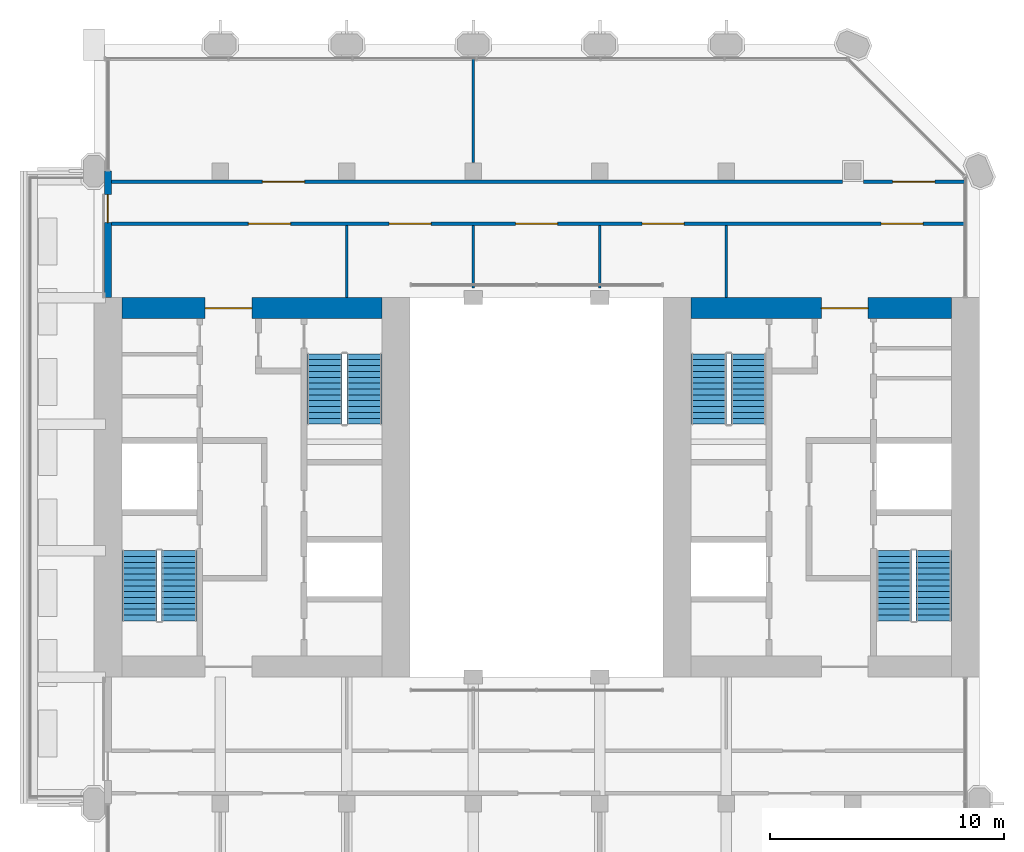
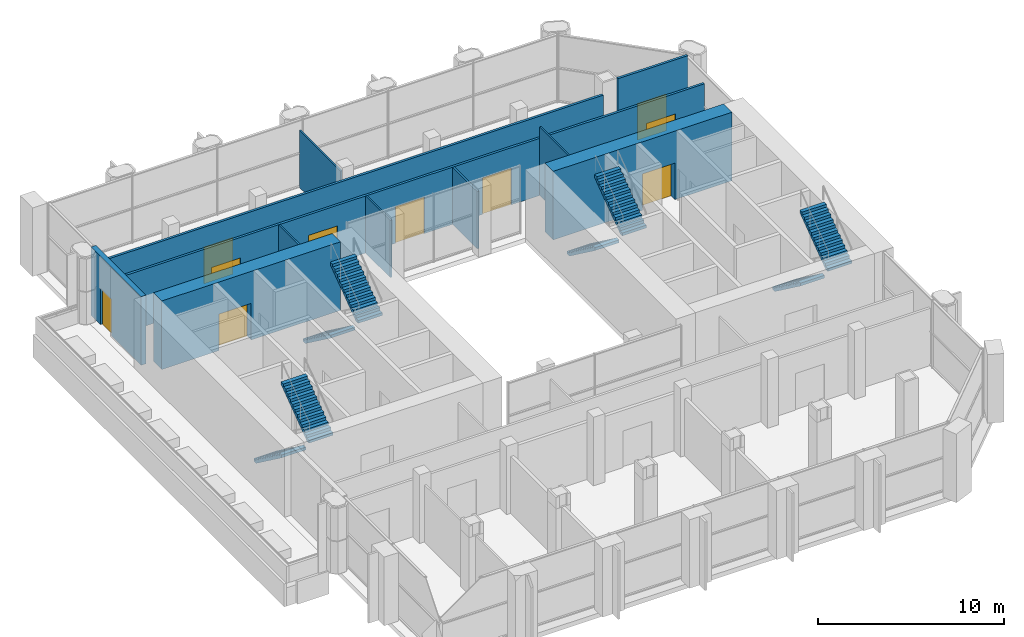
# One storey, part 11 of 14: 11 walls, 10 doors, 8 stair flights, 10 openings, 4 elements without a shape of their own.
"""IFC4 building model written with IfcOpenShell, lengths in metres."""

from ifc_helpers import new_model, si_unit, direction, frame, frame_2d, origin, place, context, subcontext, project, spatial, polyline, rectangle, outline, extrude, material, layer, layer_set, type_object, element, fill, aggregate, save


model = new_model("IFC4")

# Units and contexts
model_context = context("Model", 3, precision=1e-05, world=origin(), true_north=direction((0.0, 1.0)))
body_context = subcontext(model_context, "Body", "Model", "MODEL_VIEW")
ifc_project = project(units=[si_unit("LENGTHUNIT", "METRE"), si_unit("AREAUNIT", "SQUARE_METRE"), si_unit("VOLUMEUNIT", "CUBIC_METRE"), si_unit("PLANEANGLEUNIT", "RADIAN"), si_unit("MASSUNIT", "GRAM", prefix="KILO")], contexts=[model_context])

# Site, building, storey
site_placement = place(None, origin())
site = spatial("IfcSite", under=ifc_project, at=site_placement, CompositionType="ELEMENT")
building_placement = place(site_placement, origin())
building = spatial("IfcBuilding", under=site, at=building_placement, Name="Tabaq Tower and Sports Hall", CompositionType="ELEMENT")
storey_placement = place(building_placement, frame((0.0, 0.0, 250.89990234375)))
storey = spatial("IfcBuildingStorey", under=building, at=storey_placement, Name="L61", CompositionType="ELEMENT", Elevation=250.89990234375)

# Wall, opening, door
ifc_material_1 = material(Name="Concrete C40/50", Category="concrete")
ifc_layer_1 = layer(ifc_material_1, 0.89990234375)
ifc_layer_set_1 = layer_set([ifc_layer_1], Name="Core wall 900 Concrete C40/50")
wall_type_1 = type_object("IfcWallType", Name="Core wall 900 Concrete C40/50", PredefinedType="SOLIDWALL", material=ifc_layer_set_1)
wall_1_placement = place(storey_placement, frame((6.60009765625, 31.949951171875, 0.0), z_axis=(0.0, 0.0, 1.0), x_axis=(1.0, 0.0, 0.0)))
wall_1 = element("IfcWall", 1, at=wall_1_placement, inside=storey, type_object=wall_type_1, Name="Core wall W L61", PredefinedType="SOLIDWALL", context=body_context, shape_type="SweptSolid", body=[
    extrude(rectangle(XDim=11.099853515625, YDim=0.89990234375, at=frame_2d((5.5498046875, 0.0))), origin(), (0.0, 0.0, 1.0), 4.5),
])
opening_1_placement = place(wall_1_placement, frame((3.550048828125, 0.0, 0.0)))
opening_1 = element("IfcOpeningElement", 2, at=opening_1_placement, cuts=wall_1, Name="Opening PD-WL61-02", PredefinedType="OPENING", context=body_context, shape_type="SweptSolid", body=[
    extrude(rectangle(XDim=2.0, YDim=2.39990234375, at=frame_2d((1.0, 1.199951171875))), frame((0.0, 0.449951171875, 0.0), z_axis=(0.0, -1.0, 0.0), x_axis=(1.0, 0.0, 0.0)), (0.0, 0.0, 1.0), 0.89990234375),
])
ifc_material_2 = material(Name="Steel fire door", Category="steel")
door_type_1 = type_object("IfcDoorType", Name="Core entrance door 2000", OperationType="DOUBLE_DOOR_SINGLE_SWING", PredefinedType="DOOR", material=ifc_material_2)
door_1_placement = place(opening_1_placement, origin())
door_1 = element("IfcDoor", 3, at=door_1_placement, inside=storey, type_object=door_type_1, Name="Core entrance north W L61", OperationType="DOUBLE_DOOR_SINGLE_SWING", OverallHeight=2.39990234375, OverallWidth=2.0, PredefinedType="DOOR", context=body_context, shape_type="SweptSolid", body=[
    extrude(rectangle(XDim=2.0, YDim=2.39990234375, at=frame_2d((1.0, 1.199951171875))), frame((0.0, 0.02490234375, 0.0), z_axis=(0.0, -1.0, 0.0), x_axis=(1.0, 0.0, 0.0)), (0.0, 0.0, 1.0), 0.050048828125),
])
fill(opening_1, door_1)

wall_2_placement = place(storey_placement, frame((30.89990234375, 31.949951171875, 0.0), z_axis=(0.0, 0.0, 1.0), x_axis=(1.0, 0.0, 0.0)))
wall_2 = element("IfcWall", 4, at=wall_2_placement, inside=storey, type_object=wall_type_1, Name="Core wall E L61", PredefinedType="SOLIDWALL", context=body_context, shape_type="SweptSolid", body=[
    extrude(rectangle(XDim=11.10009765625, YDim=0.89990234375, at=frame_2d((5.550048828125, 0.0))), origin(), (0.0, 0.0, 1.0), 4.5),
])
opening_2_placement = place(wall_2_placement, frame((5.550048828125, 0.0, 0.0)))
opening_2 = element("IfcOpeningElement", 5, at=opening_2_placement, cuts=wall_2, Name="Opening PD-EL61-02", PredefinedType="OPENING", context=body_context, shape_type="SweptSolid", body=[
    extrude(rectangle(XDim=2.0, YDim=2.39990234375, at=frame_2d((1.0, 1.199951171875))), frame((0.0, 0.449951171875, 0.0), z_axis=(0.0, -1.0, 0.0), x_axis=(1.0, 0.0, 0.0)), (0.0, 0.0, 1.0), 0.89990234375),
])
door_2_placement = place(opening_2_placement, origin())
door_2 = element("IfcDoor", 6, at=door_2_placement, inside=storey, type_object=door_type_1, Name="Core entrance north E L61", OperationType="DOUBLE_DOOR_SINGLE_SWING", OverallHeight=2.39990234375, OverallWidth=2.0, PredefinedType="DOOR", context=body_context, shape_type="SweptSolid", body=[
    extrude(rectangle(XDim=2.0, YDim=2.39990234375, at=frame_2d((1.0, 1.199951171875))), frame((0.0, 0.02490234375, 0.0), z_axis=(0.0, -1.0, 0.0), x_axis=(1.0, 0.0, 0.0)), (0.0, 0.0, 1.0), 0.050048828125),
])
fill(opening_2, door_2)

# Walls
ifc_material_3 = material(Name="Gypsum board on steel studs", Category="steel")
ifc_layer_2 = layer(ifc_material_3, 0.10009765625)
ifc_layer_set_2 = layer_set([ifc_layer_2], Name="Partition 100 Gypsum board")
wall_type_2 = type_object("IfcWallType", Name="Partition 100 Gypsum board", PredefinedType="PARTITIONING", material=ifc_layer_set_2)
wall_3_placement = place(storey_placement, frame((21.60009765625, 42.60009765625, 0.0), z_axis=(0.0, 0.0, 1.0), x_axis=(0.0, -1.0, 0.0)))
element("IfcWall", 7, at=wall_3_placement, inside=storey, type_object=wall_type_2, Name="Partition wall L61", PredefinedType="PARTITIONING", context=body_context, shape_type="SweptSolid", body=[
    extrude(rectangle(XDim=4.43017578125, YDim=0.10009765625, at=frame_2d((2.215087890625, 0.0))), origin(), (0.0, 0.0, 1.0), 3.75),
])
wall_4_placement = place(storey_placement, frame((32.39990234375, 32.39990234375, 0.0), z_axis=(0.0, 0.0, 1.0), x_axis=(0.0, 1.0, 0.0)))
element("IfcWall", 8, at=wall_4_placement, inside=storey, type_object=wall_type_2, Name="Partition wall L61", PredefinedType="PARTITIONING", context=body_context, shape_type="SweptSolid", body=[
    extrude(rectangle(XDim=3.0751953125, YDim=0.10009765625, at=frame_2d((1.53759765625, 0.0))), origin(), (0.0, 0.0, 1.0), 4.5),
])
for number, where, z_axis, x_axis, name in (
    (9, (27.0, 35.47509765625, 0.0), (0.0, 0.0, 1.0), (0.0, -1.0, 0.0), "Partition wall L61"),
    (10, (21.60009765625, 35.47509765625, 0.0), (0.0, 0.0, 1.0), (0.0, -1.0, 0.0), "Partition wall L61"),
):
    element("IfcWall", number, at=place(storey_placement, frame(where, z_axis=z_axis, x_axis=x_axis)), inside=storey, type_object=wall_type_2, Name=name, PredefinedType="PARTITIONING", context=body_context, shape_type="SweptSolid", body=[
        extrude(rectangle(XDim=2.655029296875, YDim=0.10009765625, at=frame_2d((1.32763671875, 0.0))), origin(), (0.0, 0.0, 1.0), 3.75),
    ])
wall_5_placement = place(storey_placement, frame((16.199951171875, 35.47509765625, 0.0), z_axis=(0.0, 0.0, 1.0), x_axis=(0.0, -1.0, 0.0)))
element("IfcWall", 11, at=wall_5_placement, inside=storey, type_object=wall_type_2, Name="Partition wall L61", PredefinedType="PARTITIONING", context=body_context, shape_type="SweptSolid", body=[
    extrude(rectangle(XDim=3.0751953125, YDim=0.10009765625, at=frame_2d((1.53759765625, 0.0))), origin(), (0.0, 0.0, 1.0), 3.75),
])

# Wall, opening, door
ifc_material_4 = material(Name="Blockwork", Category="masonry")
ifc_layer_3 = layer(ifc_material_4, 0.14990234375)
ifc_layer_set_3 = layer_set([ifc_layer_3], Name="Separating wall 150 Blockwork")
wall_type_3 = type_object("IfcWallType", Name="Separating wall 150 Blockwork", PredefinedType="PARTITIONING", material=ifc_layer_set_3)
wall_6_placement = place(storey_placement, frame((38.250732421875, 37.35009765625, 0.0), z_axis=(0.0, 0.0, 1.0), x_axis=(1.0, 0.0, 0.0)))
wall_6 = element("IfcWall", 12, at=wall_6_placement, inside=storey, type_object=wall_type_3, Name="Separating wall L61", PredefinedType="PARTITIONING", context=body_context, shape_type="SweptSolid", body=[
    extrude(rectangle(XDim=4.349365234375, YDim=0.14990234375, at=frame_2d((2.1748046875, 0.0))), origin(), (0.0, 0.0, 1.0), 4.5),
])
opening_3_placement = place(wall_6_placement, frame((1.249267578125, 0.0, 0.0)))
opening_3 = element("IfcOpeningElement", 13, at=opening_3_placement, cuts=wall_6, Name="Opening L61-001", PredefinedType="OPENING", context=body_context, shape_type="SweptSolid", body=[
    extrude(rectangle(XDim=1.800048828125, YDim=2.39990234375, at=frame_2d((0.89990234375, 1.199951171875))), frame((0.0, 0.074951171875, 0.0), z_axis=(0.0, -1.0, 0.0), x_axis=(1.0, 0.0, 0.0)), (0.0, 0.0, 1.0), 0.14990234375),
])
ifc_material_5 = material(Name="Timber leaf in steel frame", Category="steel")
door_type_2 = type_object("IfcDoorType", Name="Internal door 1800", OperationType="DOUBLE_DOOR_SINGLE_SWING", PredefinedType="DOOR", material=ifc_material_5)
door_3_placement = place(opening_3_placement, origin())
door_3 = element("IfcDoor", 14, at=door_3_placement, inside=storey, type_object=door_type_2, Name="Internal door L61-001", OperationType="DOUBLE_DOOR_SINGLE_SWING", OverallHeight=2.39990234375, OverallWidth=1.800048828125, PredefinedType="DOOR", context=body_context, shape_type="SweptSolid", body=[
    extrude(rectangle(XDim=1.800048828125, YDim=2.39990234375, at=frame_2d((0.89990234375, 1.199951171875))), frame((0.0, 0.02490234375, 0.0), z_axis=(0.0, -1.0, 0.0), x_axis=(1.0, 0.0, 0.0)), (0.0, 0.0, 1.0), 0.050048828125),
])
fill(opening_3, door_3)

wall_7_placement = place(storey_placement, frame((6.15087890625, 37.35009765625, 0.0), z_axis=(0.0, 0.0, 1.0), x_axis=(1.0, 0.0, 0.0)))
wall_7 = element("IfcWall", 15, at=wall_7_placement, inside=storey, type_object=wall_type_3, Name="Separating wall L61", PredefinedType="PARTITIONING", context=body_context, shape_type="SweptSolid", body=[
    extrude(rectangle(XDim=31.198486328125, YDim=0.14990234375, at=frame_2d((15.59912109375, 0.0))), origin(), (0.0, 0.0, 1.0), 3.75),
])
opening_4_placement = place(wall_7_placement, frame((6.448974609375, 0.0, 0.0)))
opening_4 = element("IfcOpeningElement", 16, at=opening_4_placement, cuts=wall_7, Name="Opening L61-002", PredefinedType="OPENING", context=body_context, shape_type="SweptSolid", body=[
    extrude(rectangle(XDim=1.800048828125, YDim=2.39990234375, at=frame_2d((0.89990234375, 1.199951171875))), frame((0.0, 0.074951171875, 0.0), z_axis=(0.0, -1.0, 0.0), x_axis=(1.0, 0.0, 0.0)), (0.0, 0.0, 1.0), 0.14990234375),
])
door_4_placement = place(opening_4_placement, origin())
door_4 = element("IfcDoor", 17, at=door_4_placement, inside=storey, type_object=door_type_2, Name="Internal door L61-002", OperationType="DOUBLE_DOOR_SINGLE_SWING", OverallHeight=2.39990234375, OverallWidth=1.800048828125, PredefinedType="DOOR", context=body_context, shape_type="SweptSolid", body=[
    extrude(rectangle(XDim=1.800048828125, YDim=2.39990234375, at=frame_2d((0.89990234375, 1.199951171875))), frame((0.0, 0.02490234375, 0.0), z_axis=(0.0, -1.0, 0.0), x_axis=(1.0, 0.0, 0.0)), (0.0, 0.0, 1.0), 0.050048828125),
])
fill(opening_4, door_4)

# Wall, openings, doors
wall_8_placement = place(storey_placement, frame((42.60009765625, 35.550048828125, 0.0), z_axis=(0.0, 0.0, 1.0), x_axis=(-1.0, 0.0, 0.0)))
wall_8 = element("IfcWall", 18, at=wall_8_placement, inside=storey, type_object=wall_type_3, Name="Separating wall L61", PredefinedType="PARTITIONING", context=body_context, shape_type="SweptSolid", body=[
    extrude(rectangle(XDim=36.44921875, YDim=0.14990234375, at=frame_2d((18.224609375, 0.0))), origin(), (0.0, 0.0, 1.0), 3.75),
])
opening_5_placement = place(wall_8_placement, frame((12.0, 0.0, 0.0)))
opening_5 = element("IfcOpeningElement", 19, at=opening_5_placement, cuts=wall_8, Name="Opening L61-003", PredefinedType="OPENING", context=body_context, shape_type="SweptSolid", body=[
    extrude(rectangle(XDim=1.800048828125, YDim=2.39990234375, at=frame_2d((0.89990234375, 1.199951171875))), frame((0.0, 0.074951171875, 0.0), z_axis=(0.0, -1.0, 0.0), x_axis=(1.0, 0.0, 0.0)), (0.0, 0.0, 1.0), 0.14990234375),
])
opening_6_placement = place(wall_8_placement, frame((17.39990234375, 0.0, 0.0)))
opening_6 = element("IfcOpeningElement", 20, at=opening_6_placement, cuts=wall_8, Name="Opening L61-004", PredefinedType="OPENING", context=body_context, shape_type="SweptSolid", body=[
    extrude(rectangle(XDim=1.800048828125, YDim=2.39990234375, at=frame_2d((0.89990234375, 1.199951171875))), frame((0.0, 0.074951171875, 0.0), z_axis=(0.0, -1.0, 0.0), x_axis=(1.0, 0.0, 0.0)), (0.0, 0.0, 1.0), 0.14990234375),
])
opening_7_placement = place(wall_8_placement, frame((22.800048828125, 0.0, 0.0)))
opening_7 = element("IfcOpeningElement", 21, at=opening_7_placement, cuts=wall_8, Name="Opening L61-005", PredefinedType="OPENING", context=body_context, shape_type="SweptSolid", body=[
    extrude(rectangle(XDim=1.800048828125, YDim=2.39990234375, at=frame_2d((0.89990234375, 1.199951171875))), frame((0.0, 0.074951171875, 0.0), z_axis=(0.0, -1.0, 0.0), x_axis=(1.0, 0.0, 0.0)), (0.0, 0.0, 1.0), 0.14990234375),
])
opening_8_placement = place(wall_8_placement, frame((1.800048828125, 0.0, 0.0)))
opening_8 = element("IfcOpeningElement", 22, at=opening_8_placement, cuts=wall_8, Name="Opening L61-010", PredefinedType="OPENING", context=body_context, shape_type="SweptSolid", body=[
    extrude(rectangle(XDim=1.800048828125, YDim=2.39990234375, at=frame_2d((0.89990234375, 1.199951171875))), frame((0.0, 0.074951171875, 0.0), z_axis=(0.0, -1.0, 0.0), x_axis=(1.0, 0.0, 0.0)), (0.0, 0.0, 1.0), 0.14990234375),
])
opening_9_placement = place(wall_8_placement, frame((28.800048828125, 0.0, 0.0)))
opening_9 = element("IfcOpeningElement", 23, at=opening_9_placement, cuts=wall_8, Name="Opening L61-011", PredefinedType="OPENING", context=body_context, shape_type="SweptSolid", body=[
    extrude(rectangle(XDim=1.800048828125, YDim=2.39990234375, at=frame_2d((0.89990234375, 1.199951171875))), frame((0.0, 0.074951171875, 0.0), z_axis=(0.0, -1.0, 0.0), x_axis=(1.0, 0.0, 0.0)), (0.0, 0.0, 1.0), 0.14990234375),
])
door_5_placement = place(opening_5_placement, origin())
door_5 = element("IfcDoor", 24, at=door_5_placement, inside=storey, type_object=door_type_2, Name="Internal door L61-003", OperationType="DOUBLE_DOOR_SINGLE_SWING", OverallHeight=2.39990234375, OverallWidth=1.800048828125, PredefinedType="DOOR", context=body_context, shape_type="SweptSolid", body=[
    extrude(rectangle(XDim=1.800048828125, YDim=2.39990234375, at=frame_2d((0.89990234375, 1.199951171875))), frame((0.0, 0.02490234375, 0.0), z_axis=(0.0, -1.0, 0.0), x_axis=(1.0, 0.0, 0.0)), (0.0, 0.0, 1.0), 0.050048828125),
])
fill(opening_5, door_5)
door_6_placement = place(opening_6_placement, origin())
door_6 = element("IfcDoor", 25, at=door_6_placement, inside=storey, type_object=door_type_2, Name="Internal door L61-004", OperationType="DOUBLE_DOOR_SINGLE_SWING", OverallHeight=2.39990234375, OverallWidth=1.800048828125, PredefinedType="DOOR", context=body_context, shape_type="SweptSolid", body=[
    extrude(rectangle(XDim=1.800048828125, YDim=2.39990234375, at=frame_2d((0.89990234375, 1.199951171875))), frame((0.0, 0.02490234375, 0.0), z_axis=(0.0, -1.0, 0.0), x_axis=(1.0, 0.0, 0.0)), (0.0, 0.0, 1.0), 0.050048828125),
])
fill(opening_6, door_6)
door_7_placement = place(opening_7_placement, origin())
door_7 = element("IfcDoor", 26, at=door_7_placement, inside=storey, type_object=door_type_2, Name="Internal door L61-005", OperationType="DOUBLE_DOOR_SINGLE_SWING", OverallHeight=2.39990234375, OverallWidth=1.800048828125, PredefinedType="DOOR", context=body_context, shape_type="SweptSolid", body=[
    extrude(rectangle(XDim=1.800048828125, YDim=2.39990234375, at=frame_2d((0.89990234375, 1.199951171875))), frame((0.0, 0.02490234375, 0.0), z_axis=(0.0, -1.0, 0.0), x_axis=(1.0, 0.0, 0.0)), (0.0, 0.0, 1.0), 0.050048828125),
])
fill(opening_7, door_7)
door_8_placement = place(opening_8_placement, origin())
door_8 = element("IfcDoor", 27, at=door_8_placement, inside=storey, type_object=door_type_2, Name="Internal door L61-010", OperationType="DOUBLE_DOOR_SINGLE_SWING", OverallHeight=2.39990234375, OverallWidth=1.800048828125, PredefinedType="DOOR", context=body_context, shape_type="SweptSolid", body=[
    extrude(rectangle(XDim=1.800048828125, YDim=2.39990234375, at=frame_2d((0.89990234375, 1.199951171875))), frame((0.0, 0.02490234375, 0.0), z_axis=(0.0, -1.0, 0.0), x_axis=(1.0, 0.0, 0.0)), (0.0, 0.0, 1.0), 0.050048828125),
])
fill(opening_8, door_8)
door_9_placement = place(opening_9_placement, origin())
door_9 = element("IfcDoor", 28, at=door_9_placement, inside=storey, type_object=door_type_2, Name="Internal door L61-011", OperationType="DOUBLE_DOOR_SINGLE_SWING", OverallHeight=2.39990234375, OverallWidth=1.800048828125, PredefinedType="DOOR", context=body_context, shape_type="SweptSolid", body=[
    extrude(rectangle(XDim=1.800048828125, YDim=2.39990234375, at=frame_2d((0.89990234375, 1.199951171875))), frame((0.0, 0.02490234375, 0.0), z_axis=(0.0, -1.0, 0.0), x_axis=(1.0, 0.0, 0.0)), (0.0, 0.0, 1.0), 0.050048828125),
])
fill(opening_9, door_9)

# Wall, opening, door
ifc_material_6 = material(Name="White precast concrete C60/75", Category="concrete")
ifc_layer_4 = layer(ifc_material_6, 0.300048828125)
ifc_layer_set_4 = layer_set([ifc_layer_4], Name="White precast concrete C60/75 external wall 300")
wall_type_4 = type_object("IfcWallType", Name="White precast concrete C60/75 external wall 300", PredefinedType="SOLIDWALL", material=ifc_layer_set_4)
wall_9_placement = place(storey_placement, frame((6.0, 37.800048828125, 0.0), z_axis=(0.0, 0.0, 1.0), x_axis=(0.0, -1.0, 0.0)))
wall_9 = element("IfcWall", 29, at=wall_9_placement, inside=storey, type_object=wall_type_4, Name="External Wall L61 W", PredefinedType="SOLIDWALL", context=body_context, shape_type="SweptSolid", body=[
    extrude(rectangle(XDim=5.400146484375, YDim=0.300048828125, at=frame_2d((2.7001953125, 0.0))), origin(), (0.0, 0.0, 1.0), 4.5),
])
opening_10_placement = place(wall_9_placement, frame((1.0, 0.0, 0.0)))
opening_10 = element("IfcOpeningElement", 30, at=opening_10_placement, cuts=wall_9, Name="Opening TD6101", PredefinedType="OPENING", context=body_context, shape_type="SweptSolid", body=[
    extrude(rectangle(XDim=1.199951171875, YDim=2.39990234375, at=frame_2d((0.60009765625, 1.199951171875))), frame((0.0, 0.16015625, 0.0), z_axis=(0.0, -1.0, 0.0), x_axis=(1.0, 0.0, 0.0)), (0.0, 0.0, 1.0), 0.320068359375),
])
ifc_material_7 = material(Name="Aluminium framed clear glazing", Category="aluminium")
door_type_3 = type_object("IfcDoorType", Name="Terrace door TD2", OperationType="SINGLE_SWING_LEFT", PredefinedType="DOOR", material=ifc_material_7)
door_10_placement = place(opening_10_placement, origin())
door_10 = element("IfcDoor", 31, at=door_10_placement, inside=storey, type_object=door_type_3, Name="Terrace door TD6101", OperationType="SINGLE_SWING_LEFT", OverallHeight=2.39990234375, OverallWidth=1.199951171875, PredefinedType="DOOR", context=body_context, shape_type="SweptSolid", body=[
    extrude(rectangle(XDim=1.199951171875, YDim=2.39990234375, at=frame_2d((0.60009765625, 1.199951171875))), frame((0.0, 0.02490234375, 0.0), z_axis=(0.0, -1.0, 0.0), x_axis=(1.0, 0.0, 0.0)), (0.0, 0.0, 1.0), 0.050048828125),
])
fill(opening_10, door_10)

# Stair, stair flights
ifc_material_8 = material(Name="Concrete C40/50", Category="concrete")
stair_type = type_object("IfcStairType", Name="Exit stair", PredefinedType="HALF_TURN_STAIR", material=ifc_material_8)
stair_1_placement = place(storey_placement, origin())
stair_1 = element("IfcStair", 32, at=stair_1_placement, inside=storey, type_object=stair_type, Name="L61 Exit stair ST1", PredefinedType="HALF_TURN_STAIR")
ifc_material_9 = material(Name="Concrete C40/50", Category="concrete")
stair_flight_type = type_object("IfcStairFlightType", Name="Exit stair flight", PredefinedType="STRAIGHT", material=ifc_material_9)
stair_flight_1_placement = place(storey_placement, frame((7.35009765625, 21.60009765625, 0.0), z_axis=(0.0, 0.0, 1.0), x_axis=(0.0, -1.0, 0.0)))
stair_flight_1 = element("IfcStairFlight", 33, at=stair_flight_1_placement, type_object=stair_flight_type, Name="ST1 flight 1", NumberOfRisers=13, NumberOfTreads=12, PredefinedType="STRAIGHT", RiserHeight=0.184615385, TreadLength=0.25, context=body_context, shape_type="SweptSolid", body=[
    extrude(outline(polyline([(0.0, 0.0), (0.0, 0.1845703125), (0.25, 0.1845703125), (0.25, 0.369140625), (0.5, 0.369140625), (0.5, 0.553955078125), (0.75, 0.553955078125), (0.75, 0.738525390625), (1.0, 0.738525390625), (1.0, 0.923095703125), (1.25, 0.923095703125), (1.25, 1.107666015625), (1.5, 1.107666015625), (1.5, 1.292236328125), (1.75, 1.292236328125), (1.75, 1.476806640625), (2.0, 1.476806640625), (2.0, 1.66162109375), (2.25, 1.66162109375), (2.25, 1.84619140625), (2.5, 1.84619140625), (2.5, 2.03076171875), (2.75, 2.03076171875), (2.75, 2.21533203125), (3.0, 2.21533203125), (3.0, 2.39990234375), (3.0, 2.029052734375), (0.25244140625, 0.0), (0.0, 0.0)])), frame((0.0, 0.75, 0.0), z_axis=(0.0, -1.0, 0.0), x_axis=(1.0, 0.0, 0.0)), (0.0, 0.0, 1.0), 1.5),
])
stair_flight_2_placement = place(storey_placement, frame((9.050048828125, 18.60009765625, 2.400146484375), z_axis=(0.0, 0.0, 1.0), x_axis=(0.0, 1.0, 0.0)))
stair_flight_2 = element("IfcStairFlight", 34, at=stair_flight_2_placement, type_object=stair_flight_type, Name="ST1 flight 2", NumberOfRisers=13, NumberOfTreads=12, PredefinedType="STRAIGHT", RiserHeight=0.184615385, TreadLength=0.25, context=body_context, shape_type="SweptSolid", body=[
    extrude(outline(polyline([(0.0, 0.0), (0.0, 0.1845703125), (0.25, 0.1845703125), (0.25, 0.369140625), (0.5, 0.369140625), (0.5, 0.553955078125), (0.75, 0.553955078125), (0.75, 0.738525390625), (1.0, 0.738525390625), (1.0, 0.923095703125), (1.25, 0.923095703125), (1.25, 1.107666015625), (1.5, 1.107666015625), (1.5, 1.292236328125), (1.75, 1.292236328125), (1.75, 1.476806640625), (2.0, 1.476806640625), (2.0, 1.66162109375), (2.25, 1.66162109375), (2.25, 1.84619140625), (2.5, 1.84619140625), (2.5, 2.03076171875), (2.75, 2.03076171875), (2.75, 2.21533203125), (3.0, 2.21533203125), (3.0, 2.39990234375), (3.0, 2.029052734375), (0.25244140625, 0.0), (0.0, 0.0)])), frame((0.0, 0.75, 0.0), z_axis=(0.0, -1.0, 0.0), x_axis=(1.0, 0.0, 0.0)), (0.0, 0.0, 1.0), 1.5),
])
aggregate(stair_1, [stair_flight_1, stair_flight_2])

stair_2_placement = place(storey_placement, origin())
stair_2 = element("IfcStair", 35, at=stair_2_placement, inside=storey, type_object=stair_type, Name="L61 Exit stair ST2", PredefinedType="HALF_TURN_STAIR")
stair_flight_3_placement = place(storey_placement, frame((15.25, 30.0, 0.0), z_axis=(0.0, 0.0, 1.0), x_axis=(0.0, -1.0, 0.0)))
stair_flight_3 = element("IfcStairFlight", 36, at=stair_flight_3_placement, type_object=stair_flight_type, Name="ST2 flight 1", NumberOfRisers=13, NumberOfTreads=12, PredefinedType="STRAIGHT", RiserHeight=0.184615385, TreadLength=0.25, context=body_context, shape_type="SweptSolid", body=[
    extrude(outline(polyline([(0.0, 0.0), (0.0, 0.1845703125), (0.25, 0.1845703125), (0.25, 0.369140625), (0.5, 0.369140625), (0.5, 0.553955078125), (0.75, 0.553955078125), (0.75, 0.738525390625), (1.0, 0.738525390625), (1.0, 0.923095703125), (1.25, 0.923095703125), (1.25, 1.107666015625), (1.5, 1.107666015625), (1.5, 1.292236328125), (1.75, 1.292236328125), (1.75, 1.476806640625), (2.0, 1.476806640625), (2.0, 1.66162109375), (2.25, 1.66162109375), (2.25, 1.84619140625), (2.5, 1.84619140625), (2.5, 2.03076171875), (2.75, 2.03076171875), (2.75, 2.21533203125), (3.0, 2.21533203125), (3.0, 2.39990234375), (3.0, 2.029052734375), (0.25244140625, 0.0), (0.0, 0.0)])), frame((0.0, 0.75, 0.0), z_axis=(0.0, -1.0, 0.0), x_axis=(1.0, 0.0, 0.0)), (0.0, 0.0, 1.0), 1.5),
])
stair_flight_4_placement = place(storey_placement, frame((16.949951171875, 27.0, 2.400146484375), z_axis=(0.0, 0.0, 1.0), x_axis=(0.0, 1.0, 0.0)))
stair_flight_4 = element("IfcStairFlight", 37, at=stair_flight_4_placement, type_object=stair_flight_type, Name="ST2 flight 2", NumberOfRisers=13, NumberOfTreads=12, PredefinedType="STRAIGHT", RiserHeight=0.184615385, TreadLength=0.25, context=body_context, shape_type="SweptSolid", body=[
    extrude(outline(polyline([(0.0, 0.0), (0.0, 0.1845703125), (0.25, 0.1845703125), (0.25, 0.369140625), (0.5, 0.369140625), (0.5, 0.553955078125), (0.75, 0.553955078125), (0.75, 0.738525390625), (1.0, 0.738525390625), (1.0, 0.923095703125), (1.25, 0.923095703125), (1.25, 1.107666015625), (1.5, 1.107666015625), (1.5, 1.292236328125), (1.75, 1.292236328125), (1.75, 1.476806640625), (2.0, 1.476806640625), (2.0, 1.66162109375), (2.25, 1.66162109375), (2.25, 1.84619140625), (2.5, 1.84619140625), (2.5, 2.03076171875), (2.75, 2.03076171875), (2.75, 2.21533203125), (3.0, 2.21533203125), (3.0, 2.39990234375), (3.0, 2.029052734375), (0.25244140625, 0.0), (0.0, 0.0)])), frame((0.0, 0.75, 0.0), z_axis=(0.0, -1.0, 0.0), x_axis=(1.0, 0.0, 0.0)), (0.0, 0.0, 1.0), 1.5),
])
aggregate(stair_2, [stair_flight_3, stair_flight_4])

stair_3_placement = place(storey_placement, origin())
stair_3 = element("IfcStair", 38, at=stair_3_placement, inside=storey, type_object=stair_type, Name="L61 Exit stair ST3", PredefinedType="HALF_TURN_STAIR")
stair_flight_5_placement = place(storey_placement, frame((39.550048828125, 21.60009765625, 0.0), z_axis=(0.0, 0.0, 1.0), x_axis=(0.0, -1.0, 0.0)))
stair_flight_5 = element("IfcStairFlight", 39, at=stair_flight_5_placement, type_object=stair_flight_type, Name="ST3 flight 1", NumberOfRisers=13, NumberOfTreads=12, PredefinedType="STRAIGHT", RiserHeight=0.184615385, TreadLength=0.25, context=body_context, shape_type="SweptSolid", body=[
    extrude(outline(polyline([(0.0, 0.0), (0.0, 0.1845703125), (0.25, 0.1845703125), (0.25, 0.369140625), (0.5, 0.369140625), (0.5, 0.553955078125), (0.75, 0.553955078125), (0.75, 0.738525390625), (1.0, 0.738525390625), (1.0, 0.923095703125), (1.25, 0.923095703125), (1.25, 1.107666015625), (1.5, 1.107666015625), (1.5, 1.292236328125), (1.75, 1.292236328125), (1.75, 1.476806640625), (2.0, 1.476806640625), (2.0, 1.66162109375), (2.25, 1.66162109375), (2.25, 1.84619140625), (2.5, 1.84619140625), (2.5, 2.03076171875), (2.75, 2.03076171875), (2.75, 2.21533203125), (3.0, 2.21533203125), (3.0, 2.39990234375), (3.0, 2.029052734375), (0.25244140625, 0.0), (0.0, 0.0)])), frame((0.0, 0.75, 0.0), z_axis=(0.0, -1.0, 0.0), x_axis=(1.0, 0.0, 0.0)), (0.0, 0.0, 1.0), 1.5),
])
stair_flight_6_placement = place(storey_placement, frame((41.25, 18.60009765625, 2.400146484375), z_axis=(0.0, 0.0, 1.0), x_axis=(0.0, 1.0, 0.0)))
stair_flight_6 = element("IfcStairFlight", 40, at=stair_flight_6_placement, type_object=stair_flight_type, Name="ST3 flight 2", NumberOfRisers=13, NumberOfTreads=12, PredefinedType="STRAIGHT", RiserHeight=0.184615385, TreadLength=0.25, context=body_context, shape_type="SweptSolid", body=[
    extrude(outline(polyline([(0.0, 0.0), (0.0, 0.1845703125), (0.25, 0.1845703125), (0.25, 0.369140625), (0.5, 0.369140625), (0.5, 0.553955078125), (0.75, 0.553955078125), (0.75, 0.738525390625), (1.0, 0.738525390625), (1.0, 0.923095703125), (1.25, 0.923095703125), (1.25, 1.107666015625), (1.5, 1.107666015625), (1.5, 1.292236328125), (1.75, 1.292236328125), (1.75, 1.476806640625), (2.0, 1.476806640625), (2.0, 1.66162109375), (2.25, 1.66162109375), (2.25, 1.84619140625), (2.5, 1.84619140625), (2.5, 2.03076171875), (2.75, 2.03076171875), (2.75, 2.21533203125), (3.0, 2.21533203125), (3.0, 2.39990234375), (3.0, 2.029052734375), (0.25244140625, 0.0), (0.0, 0.0)])), frame((0.0, 0.75, 0.0), z_axis=(0.0, -1.0, 0.0), x_axis=(1.0, 0.0, 0.0)), (0.0, 0.0, 1.0), 1.5),
])
aggregate(stair_3, [stair_flight_5, stair_flight_6])

stair_4_placement = place(storey_placement, origin())
stair_4 = element("IfcStair", 41, at=stair_4_placement, inside=storey, type_object=stair_type, Name="L61 Exit stair ST4", PredefinedType="HALF_TURN_STAIR")
stair_flight_7_placement = place(storey_placement, frame((31.64990234375, 30.0, 0.0), z_axis=(0.0, 0.0, 1.0), x_axis=(0.0, -1.0, 0.0)))
stair_flight_7 = element("IfcStairFlight", 42, at=stair_flight_7_placement, type_object=stair_flight_type, Name="ST4 flight 1", NumberOfRisers=13, NumberOfTreads=12, PredefinedType="STRAIGHT", RiserHeight=0.184615385, TreadLength=0.25, context=body_context, shape_type="SweptSolid", body=[
    extrude(outline(polyline([(0.0, 0.0), (0.0, 0.1845703125), (0.25, 0.1845703125), (0.25, 0.369140625), (0.5, 0.369140625), (0.5, 0.553955078125), (0.75, 0.553955078125), (0.75, 0.738525390625), (1.0, 0.738525390625), (1.0, 0.923095703125), (1.25, 0.923095703125), (1.25, 1.107666015625), (1.5, 1.107666015625), (1.5, 1.292236328125), (1.75, 1.292236328125), (1.75, 1.476806640625), (2.0, 1.476806640625), (2.0, 1.66162109375), (2.25, 1.66162109375), (2.25, 1.84619140625), (2.5, 1.84619140625), (2.5, 2.03076171875), (2.75, 2.03076171875), (2.75, 2.21533203125), (3.0, 2.21533203125), (3.0, 2.39990234375), (3.0, 2.029052734375), (0.25244140625, 0.0), (0.0, 0.0)])), frame((0.0, 0.75, 0.0), z_axis=(0.0, -1.0, 0.0), x_axis=(1.0, 0.0, 0.0)), (0.0, 0.0, 1.0), 1.5),
])
stair_flight_8_placement = place(storey_placement, frame((33.35009765625, 27.0, 2.400146484375), z_axis=(0.0, 0.0, 1.0), x_axis=(0.0, 1.0, 0.0)))
stair_flight_8 = element("IfcStairFlight", 43, at=stair_flight_8_placement, type_object=stair_flight_type, Name="ST4 flight 2", NumberOfRisers=13, NumberOfTreads=12, PredefinedType="STRAIGHT", RiserHeight=0.184615385, TreadLength=0.25, context=body_context, shape_type="SweptSolid", body=[
    extrude(outline(polyline([(0.0, 0.0), (0.0, 0.1845703125), (0.25, 0.1845703125), (0.25, 0.369140625), (0.5, 0.369140625), (0.5, 0.553955078125), (0.75, 0.553955078125), (0.75, 0.738525390625), (1.0, 0.738525390625), (1.0, 0.923095703125), (1.25, 0.923095703125), (1.25, 1.107666015625), (1.5, 1.107666015625), (1.5, 1.292236328125), (1.75, 1.292236328125), (1.75, 1.476806640625), (2.0, 1.476806640625), (2.0, 1.66162109375), (2.25, 1.66162109375), (2.25, 1.84619140625), (2.5, 1.84619140625), (2.5, 2.03076171875), (2.75, 2.03076171875), (2.75, 2.21533203125), (3.0, 2.21533203125), (3.0, 2.39990234375), (3.0, 2.029052734375), (0.25244140625, 0.0), (0.0, 0.0)])), frame((0.0, 0.75, 0.0), z_axis=(0.0, -1.0, 0.0), x_axis=(1.0, 0.0, 0.0)), (0.0, 0.0, 1.0), 1.5),
])
aggregate(stair_4, [stair_flight_7, stair_flight_8])

save(model, "model.ifc")
